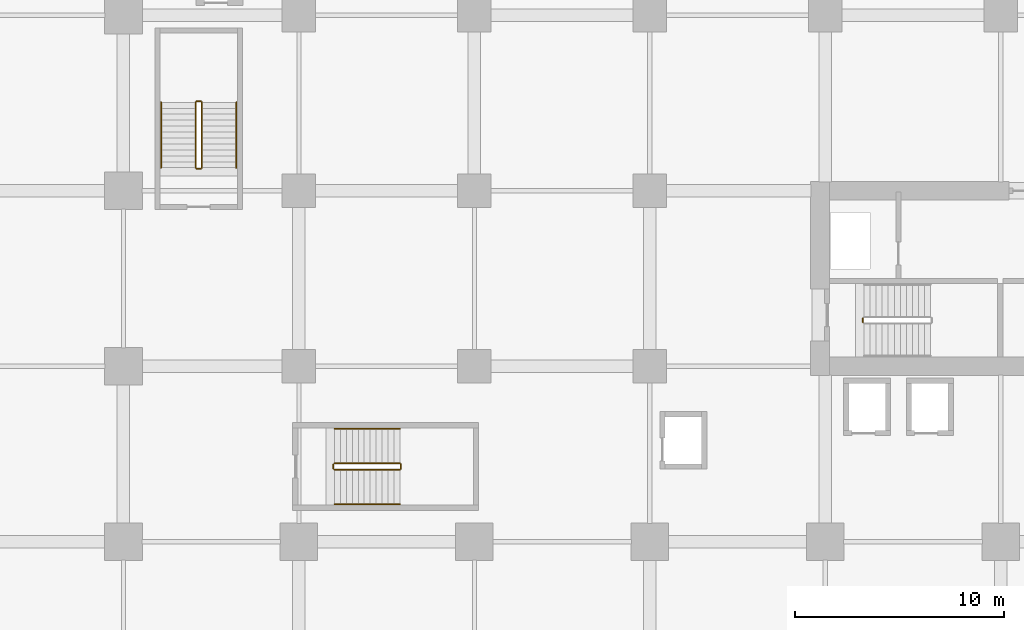
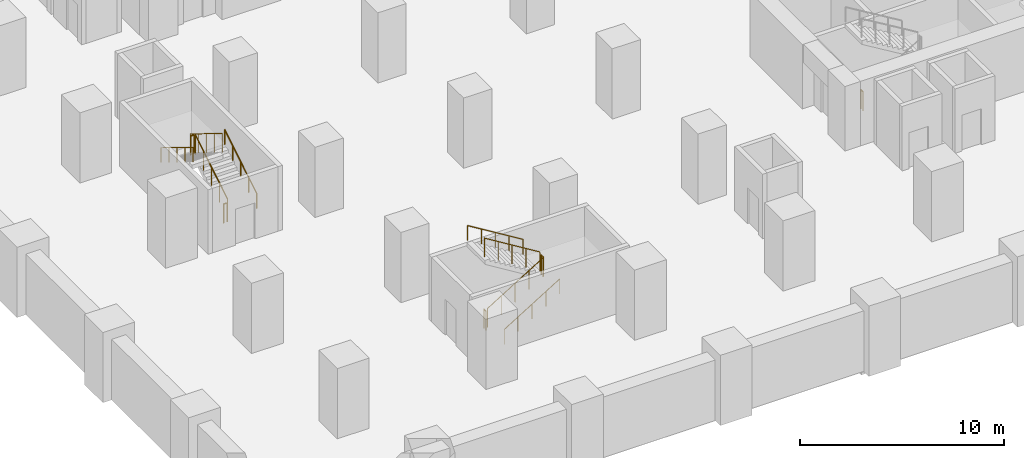
# One storey, part 11 of 13: 13 railings.
"""IFC4 building model written with IfcOpenShell, lengths in metres."""

from ifc_helpers import new_model, si_unit, direction, frame, origin, origin_2d, place, context, subcontext, project, spatial, circle, extrude, material, type_object, element, save


model = new_model("IFC4")

# Units and contexts
model_context = context("Model", 3, precision=1e-05, world=origin(), true_north=direction((0.0, 1.0)))
body_context = subcontext(model_context, "Body", "Model", "MODEL_VIEW")
ifc_project = project(units=[si_unit("LENGTHUNIT", "METRE"), si_unit("AREAUNIT", "SQUARE_METRE"), si_unit("VOLUMEUNIT", "CUBIC_METRE"), si_unit("PLANEANGLEUNIT", "RADIAN"), si_unit("MASSUNIT", "GRAM", prefix="KILO")], contexts=[model_context])

# Site, building, storey
site_placement = place(None, origin())
site = spatial("IfcSite", under=ifc_project, at=site_placement, CompositionType="ELEMENT")
building_placement = place(site_placement, origin())
building = spatial("IfcBuilding", under=site, at=building_placement, Name="Koriwani Terraces Tower", CompositionType="ELEMENT")
storey_placement = place(building_placement, frame((0.0, 0.0, -4.199951171875)))
storey = spatial("IfcBuildingStorey", under=building, at=storey_placement, Name="B01", CompositionType="ELEMENT", Elevation=-4.199951171875)

# Railings
ifc_material = material(Name="Steel ASTM A572 Grade 50", Category="steel")
railing_type_1 = type_object("IfcRailingType", Name="GUARD_STAIR_WELL_1120", PredefinedType="GUARDRAIL", material=ifc_material)
railing_1_placement = place(storey_placement, frame((43.800048828125, 18.89990234375, 0.0)))
element("IfcRailing", 1, at=railing_1_placement, inside=storey, type_object=railing_type_1, Name="B01 ST-E1 stair guard 4", PredefinedType="GUARDRAIL", context=body_context, shape_type="SweptSolid", body=[
    extrude(circle(Radius=0.02392578125, at=origin_2d()), frame((0.0, 0.0, 1.1259765625), z_axis=(0.0, 1.0, 0.0), x_axis=(-1.0, 0.0, 0.0)), (0.0, 0.0, 1.0), 0.2001953125),
    extrude(circle(Radius=0.02099609375, at=origin_2d()), origin(), (0.0, 0.0, 1.0), 1.101806640625),
    extrude(circle(Radius=0.02099609375, at=origin_2d()), frame((0.0, 0.2001953125, 0.0)), (0.0, 0.0, 1.0), 1.101806640625),
])
railing_2_placement = place(storey_placement, frame((12.14990234375, 26.300048828125, 0.175048828125)))
element("IfcRailing", 2, at=railing_2_placement, inside=storey, type_object=railing_type_1, Name="B01 ST-P1 stair guard 1", PredefinedType="GUARDRAIL", context=body_context, shape_type="SweptSolid", body=[
    extrude(circle(Radius=0.02392578125, at=origin_2d()), frame((0.0, 0.0, 1.1259765625), z_axis=(0.0, 0.852195625947, 0.523223293744), x_axis=(-1.0, 0.0, 0.0)), (0.0, 0.0, 1.0), 3.6787109375),
    extrude(circle(Radius=0.02099609375, at=origin_2d()), origin(), (0.0, 0.0, 1.0), 1.101806640625),
    extrude(circle(Radius=0.02099609375, at=origin_2d()), frame((0.0, 0.78369140625, 0.481201171875)), (0.0, 0.0, 1.0), 1.101806640625),
    extrude(circle(Radius=0.02099609375, at=origin_2d()), frame((0.0, 1.5673828125, 0.96240234375)), (0.0, 0.0, 1.0), 1.101806640625),
    extrude(circle(Radius=0.02099609375, at=origin_2d()), frame((0.0, 2.351318359375, 1.443603515625)), (0.0, 0.0, 1.0), 1.101806640625),
    extrude(circle(Radius=0.02099609375, at=origin_2d()), frame((0.0, 3.135009765625, 1.9248046875)), (0.0, 0.0, 1.0), 1.101806640625),
])
railing_3_placement = place(storey_placement, frame((12.10009765625, 29.485107421875, 2.099853515625)))
element("IfcRailing", 3, at=railing_3_placement, inside=storey, type_object=railing_type_1, Name="B01 ST-P1 stair guard 2", PredefinedType="GUARDRAIL", context=body_context, shape_type="SweptSolid", body=[
    extrude(circle(Radius=0.02392578125, at=origin_2d()), frame((0.0, 0.0, 1.1259765625), z_axis=(-1.0, 0.0, 0.0), x_axis=(0.0, -1.0, 0.0)), (0.0, 0.0, 1.0), 0.2001953125),
    extrude(circle(Radius=0.02099609375, at=origin_2d()), origin(), (0.0, 0.0, 1.0), 1.101806640625),
    extrude(circle(Radius=0.02099609375, at=origin_2d()), frame((-0.2001953125, 0.0, 0.0)), (0.0, 0.0, 1.0), 1.101806640625),
])
railing_4_placement = place(storey_placement, frame((11.85009765625, 29.43505859375, 2.27490234375)))
element("IfcRailing", 4, at=railing_4_placement, inside=storey, type_object=railing_type_1, Name="B01 ST-P1 stair guard 3", PredefinedType="GUARDRAIL", context=body_context, shape_type="SweptSolid", body=[
    extrude(circle(Radius=0.02392578125, at=origin_2d()), frame((0.0, 0.0, 1.1259765625), z_axis=(0.0, -0.852166034122, 0.523271488128), x_axis=(1.0, 0.0, 0.0)), (0.0, 0.0, 1.0), 3.678955078125),
    extrude(circle(Radius=0.02099609375, at=origin_2d()), origin(), (0.0, 0.0, 1.0), 1.101806640625),
    extrude(circle(Radius=0.02099609375, at=origin_2d()), frame((0.0, -0.78369140625, 0.481201171875)), (0.0, 0.0, 1.0), 1.101806640625),
    extrude(circle(Radius=0.02099609375, at=origin_2d()), frame((0.0, -1.5673828125, 0.96240234375)), (0.0, 0.0, 1.0), 1.101806640625),
    extrude(circle(Radius=0.02099609375, at=origin_2d()), frame((0.0, -2.351318359375, 1.44384765625)), (0.0, 0.0, 1.0), 1.101806640625),
    extrude(circle(Radius=0.02099609375, at=origin_2d()), frame((0.0, -3.135009765625, 1.925048828125)), (0.0, 0.0, 1.0), 1.101806640625),
])
railing_5_placement = place(storey_placement, frame((12.10009765625, 26.25, 0.0)))
element("IfcRailing", 5, at=railing_5_placement, inside=storey, type_object=railing_type_1, Name="B01 ST-P1 stair guard 4", PredefinedType="GUARDRAIL", context=body_context, shape_type="SweptSolid", body=[
    extrude(circle(Radius=0.02392578125, at=origin_2d()), frame((0.0, 0.0, 1.1259765625), z_axis=(-1.0, 0.0, 0.0), x_axis=(0.0, -1.0, 0.0)), (0.0, 0.0, 1.0), 0.2001953125),
    extrude(circle(Radius=0.02099609375, at=origin_2d()), origin(), (0.0, 0.0, 1.0), 1.101806640625),
    extrude(circle(Radius=0.02099609375, at=origin_2d()), frame((-0.2001953125, 0.0, 0.0)), (0.0, 0.0, 1.0), 1.101806640625),
])
railing_6_placement = place(storey_placement, frame((18.5, 11.85009765625, 0.175048828125)))
element("IfcRailing", 6, at=railing_6_placement, inside=storey, type_object=railing_type_1, Name="B01 ST-P2 stair guard 1", PredefinedType="GUARDRAIL", context=body_context, shape_type="SweptSolid", body=[
    extrude(circle(Radius=0.02392578125, at=origin_2d()), frame((0.0, 0.0, 1.1259765625), z_axis=(0.852195625947, 0.0, 0.523223293744), x_axis=(0.0, 1.0, 0.0)), (0.0, 0.0, 1.0), 3.6787109375),
    extrude(circle(Radius=0.02099609375, at=origin_2d()), origin(), (0.0, 0.0, 1.0), 1.101806640625),
    extrude(circle(Radius=0.02099609375, at=origin_2d()), frame((0.78369140625, 0.0, 0.481201171875)), (0.0, 0.0, 1.0), 1.101806640625),
    extrude(circle(Radius=0.02099609375, at=origin_2d()), frame((1.5673828125, 0.0, 0.96240234375)), (0.0, 0.0, 1.0), 1.101806640625),
    extrude(circle(Radius=0.02099609375, at=origin_2d()), frame((2.351318359375, 0.0, 1.443603515625)), (0.0, 0.0, 1.0), 1.101806640625),
    extrude(circle(Radius=0.02099609375, at=origin_2d()), frame((3.135009765625, 0.0, 1.9248046875)), (0.0, 0.0, 1.0), 1.101806640625),
])
railing_7_placement = place(storey_placement, frame((21.68505859375, 11.89990234375, 2.099853515625)))
element("IfcRailing", 7, at=railing_7_placement, inside=storey, type_object=railing_type_1, Name="B01 ST-P2 stair guard 2", PredefinedType="GUARDRAIL", context=body_context, shape_type="SweptSolid", body=[
    extrude(circle(Radius=0.02392578125, at=origin_2d()), frame((0.0, 0.0, 1.1259765625), z_axis=(0.0, 1.0, 0.0), x_axis=(-1.0, 0.0, 0.0)), (0.0, 0.0, 1.0), 0.2001953125),
    extrude(circle(Radius=0.02099609375, at=origin_2d()), origin(), (0.0, 0.0, 1.0), 1.101806640625),
    extrude(circle(Radius=0.02099609375, at=origin_2d()), frame((0.0, 0.2001953125, 0.0)), (0.0, 0.0, 1.0), 1.101806640625),
])
railing_8_placement = place(storey_placement, frame((21.635009765625, 12.14990234375, 2.27490234375)))
element("IfcRailing", 8, at=railing_8_placement, inside=storey, type_object=railing_type_1, Name="B01 ST-P2 stair guard 3", PredefinedType="GUARDRAIL", context=body_context, shape_type="SweptSolid", body=[
    extrude(circle(Radius=0.02392578125, at=origin_2d()), frame((0.0, 0.0, 1.1259765625), z_axis=(-0.852166034122, 0.0, 0.523271488128), x_axis=(0.0, -1.0, 0.0)), (0.0, 0.0, 1.0), 3.678955078125),
    extrude(circle(Radius=0.02099609375, at=origin_2d()), origin(), (0.0, 0.0, 1.0), 1.101806640625),
    extrude(circle(Radius=0.02099609375, at=origin_2d()), frame((-0.78369140625, 0.0, 0.481201171875)), (0.0, 0.0, 1.0), 1.101806640625),
    extrude(circle(Radius=0.02099609375, at=origin_2d()), frame((-1.5673828125, 0.0, 0.96240234375)), (0.0, 0.0, 1.0), 1.101806640625),
    extrude(circle(Radius=0.02099609375, at=origin_2d()), frame((-2.351318359375, 0.0, 1.44384765625)), (0.0, 0.0, 1.0), 1.101806640625),
    extrude(circle(Radius=0.02099609375, at=origin_2d()), frame((-3.135009765625, 0.0, 1.925048828125)), (0.0, 0.0, 1.0), 1.101806640625),
])
railing_9_placement = place(storey_placement, frame((18.449951171875, 11.89990234375, 0.0)))
element("IfcRailing", 9, at=railing_9_placement, inside=storey, type_object=railing_type_1, Name="B01 ST-P2 stair guard 4", PredefinedType="GUARDRAIL", context=body_context, shape_type="SweptSolid", body=[
    extrude(circle(Radius=0.02392578125, at=origin_2d()), frame((0.0, 0.0, 1.1259765625), z_axis=(0.0, 1.0, 0.0), x_axis=(-1.0, 0.0, 0.0)), (0.0, 0.0, 1.0), 0.2001953125),
    extrude(circle(Radius=0.02099609375, at=origin_2d()), origin(), (0.0, 0.0, 1.0), 1.101806640625),
    extrude(circle(Radius=0.02099609375, at=origin_2d()), frame((0.0, 0.2001953125, 0.0)), (0.0, 0.0, 1.0), 1.101806640625),
])
railing_type_2 = type_object("IfcRailingType", Name="HANDRAIL_STAIR_920", PredefinedType="HANDRAIL", material=ifc_material)
railing_10_placement = place(storey_placement, frame((13.800048828125, 26.300048828125, 0.175048828125)))
element("IfcRailing", 10, at=railing_10_placement, inside=storey, type_object=railing_type_2, Name="B01 ST-P1 stair handrail 1", PredefinedType="HANDRAIL", context=body_context, shape_type="SweptSolid", body=[
    extrude(circle(Radius=0.02392578125, at=origin_2d()), frame((0.0, 0.0, 0.8759765625), z_axis=(0.0, 0.852195625947, 0.523223293744), x_axis=(-1.0, 0.0, 0.0)), (0.0, 0.0, 1.0), 3.6787109375),
    extrude(circle(Radius=0.02099609375, at=origin_2d()), origin(), (0.0, 0.0, 1.0), 0.851806640625),
    extrude(circle(Radius=0.02099609375, at=origin_2d()), frame((0.0, 0.78369140625, 0.481201171875)), (0.0, 0.0, 1.0), 0.851806640625),
    extrude(circle(Radius=0.02099609375, at=origin_2d()), frame((0.0, 1.5673828125, 0.96240234375)), (0.0, 0.0, 1.0), 0.851806640625),
    extrude(circle(Radius=0.02099609375, at=origin_2d()), frame((0.0, 2.351318359375, 1.443603515625)), (0.0, 0.0, 1.0), 0.851806640625),
    extrude(circle(Radius=0.02099609375, at=origin_2d()), frame((0.0, 3.135009765625, 1.9248046875)), (0.0, 0.0, 1.0), 0.851806640625),
])
railing_11_placement = place(storey_placement, frame((10.199951171875, 29.43505859375, 2.27490234375)))
element("IfcRailing", 11, at=railing_11_placement, inside=storey, type_object=railing_type_2, Name="B01 ST-P1 stair handrail 2", PredefinedType="HANDRAIL", context=body_context, shape_type="SweptSolid", body=[
    extrude(circle(Radius=0.02392578125, at=origin_2d()), frame((0.0, 0.0, 0.8759765625), z_axis=(0.0, -0.852166034122, 0.523271488128), x_axis=(1.0, 0.0, 0.0)), (0.0, 0.0, 1.0), 3.678955078125),
    extrude(circle(Radius=0.02099609375, at=origin_2d()), origin(), (0.0, 0.0, 1.0), 0.851806640625),
    extrude(circle(Radius=0.02099609375, at=origin_2d()), frame((0.0, -0.78369140625, 0.481201171875)), (0.0, 0.0, 1.0), 0.851806640625),
    extrude(circle(Radius=0.02099609375, at=origin_2d()), frame((0.0, -1.5673828125, 0.96240234375)), (0.0, 0.0, 1.0), 0.851806640625),
    extrude(circle(Radius=0.02099609375, at=origin_2d()), frame((0.0, -2.351318359375, 1.44384765625)), (0.0, 0.0, 1.0), 0.851806640625),
    extrude(circle(Radius=0.02099609375, at=origin_2d()), frame((0.0, -3.135009765625, 1.925048828125)), (0.0, 0.0, 1.0), 0.851806640625),
])
railing_12_placement = place(storey_placement, frame((18.5, 10.199951171875, 0.175048828125)))
element("IfcRailing", 12, at=railing_12_placement, inside=storey, type_object=railing_type_2, Name="B01 ST-P2 stair handrail 1", PredefinedType="HANDRAIL", context=body_context, shape_type="SweptSolid", body=[
    extrude(circle(Radius=0.02392578125, at=origin_2d()), frame((0.0, 0.0, 0.8759765625), z_axis=(0.852195625947, 0.0, 0.523223293744), x_axis=(0.0, 1.0, 0.0)), (0.0, 0.0, 1.0), 3.6787109375),
    extrude(circle(Radius=0.02099609375, at=origin_2d()), origin(), (0.0, 0.0, 1.0), 0.851806640625),
    extrude(circle(Radius=0.02099609375, at=origin_2d()), frame((0.78369140625, 0.0, 0.481201171875)), (0.0, 0.0, 1.0), 0.851806640625),
    extrude(circle(Radius=0.02099609375, at=origin_2d()), frame((1.5673828125, 0.0, 0.96240234375)), (0.0, 0.0, 1.0), 0.851806640625),
    extrude(circle(Radius=0.02099609375, at=origin_2d()), frame((2.351318359375, 0.0, 1.443603515625)), (0.0, 0.0, 1.0), 0.851806640625),
    extrude(circle(Radius=0.02099609375, at=origin_2d()), frame((3.135009765625, 0.0, 1.9248046875)), (0.0, 0.0, 1.0), 0.851806640625),
])
railing_13_placement = place(storey_placement, frame((21.635009765625, 13.800048828125, 2.27490234375)))
element("IfcRailing", 13, at=railing_13_placement, inside=storey, type_object=railing_type_2, Name="B01 ST-P2 stair handrail 2", PredefinedType="HANDRAIL", context=body_context, shape_type="SweptSolid", body=[
    extrude(circle(Radius=0.02392578125, at=origin_2d()), frame((0.0, 0.0, 0.8759765625), z_axis=(-0.852166034122, 0.0, 0.523271488128), x_axis=(0.0, -1.0, 0.0)), (0.0, 0.0, 1.0), 3.678955078125),
    extrude(circle(Radius=0.02099609375, at=origin_2d()), origin(), (0.0, 0.0, 1.0), 0.851806640625),
    extrude(circle(Radius=0.02099609375, at=origin_2d()), frame((-0.78369140625, 0.0, 0.481201171875)), (0.0, 0.0, 1.0), 0.851806640625),
    extrude(circle(Radius=0.02099609375, at=origin_2d()), frame((-1.5673828125, 0.0, 0.96240234375)), (0.0, 0.0, 1.0), 0.851806640625),
    extrude(circle(Radius=0.02099609375, at=origin_2d()), frame((-2.351318359375, 0.0, 1.44384765625)), (0.0, 0.0, 1.0), 0.851806640625),
    extrude(circle(Radius=0.02099609375, at=origin_2d()), frame((-3.135009765625, 0.0, 1.925048828125)), (0.0, 0.0, 1.0), 0.851806640625),
])

save(model, "model.ifc")
